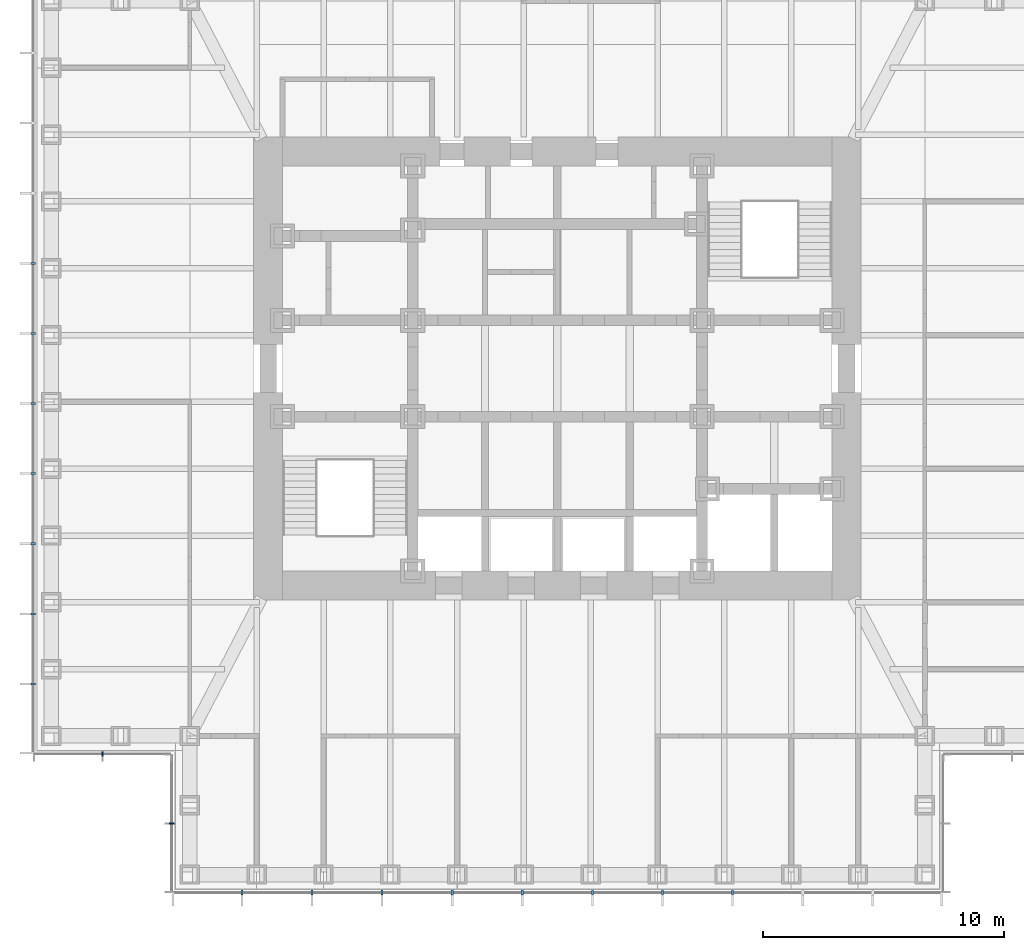
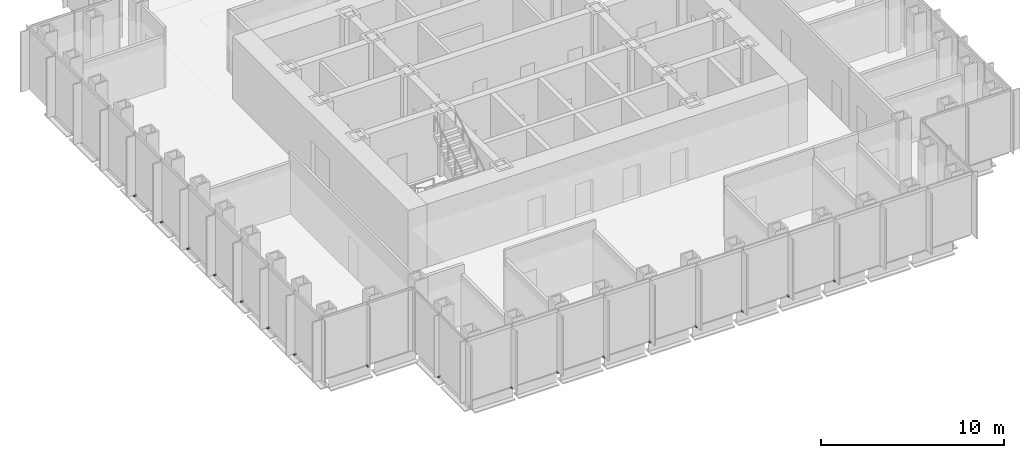
# One storey, part 11 of 16: 17 discrete accessories.
"""IFC4 building model written with IfcOpenShell, lengths in metres."""

from ifc_helpers import new_model, si_unit, direction, frame, origin, origin_2d, place, context, subcontext, project, spatial, rectangle, extrude, element, save


model = new_model("IFC4")

# Units and contexts
model_context = context("Model", 3, precision=1e-05, world=origin(), true_north=direction((0.0, 1.0)))
body_context = subcontext(model_context, "Body", "Model", "MODEL_VIEW")
ifc_project = project(units=[si_unit("LENGTHUNIT", "METRE"), si_unit("AREAUNIT", "SQUARE_METRE"), si_unit("VOLUMEUNIT", "CUBIC_METRE"), si_unit("PLANEANGLEUNIT", "RADIAN"), si_unit("MASSUNIT", "GRAM", prefix="KILO")], contexts=[model_context])

# Site, building, storey
site_placement = place(None, origin())
site = spatial("IfcSite", under=ifc_project, at=site_placement, CompositionType="ELEMENT")
building_placement = place(site_placement, origin())
building = spatial("IfcBuilding", under=site, at=building_placement, Name="Daluyong Arena Tower", CompositionType="ELEMENT")
storey_placement = place(building_placement, frame((0.0, 0.0, 271.300048828125)))
storey = spatial("IfcBuildingStorey", under=building, at=storey_placement, Name="L61", CompositionType="ELEMENT", Elevation=271.300048828125)

# Discrete accessories
for number, where, z_axis, x_axis, name in (
    (1, (42.9091796875, 58.25, -0.10009765625), (0.0, 0.0, 1.0), (1.0, 0.0, 0.0), "curtain wall L61 S anchor bracket 2"),
    (2, (45.818115234375, 58.25, -0.10009765625), (0.0, 0.0, 1.0), (1.0, 0.0, 0.0), "curtain wall L61 S anchor bracket 3"),
    (3, (48.727294921875, 58.25, -0.10009765625), (0.0, 0.0, 1.0), (1.0, 0.0, 0.0), "curtain wall L61 S anchor bracket 4"),
    (4, (51.636474609375, 58.25, -0.10009765625), (0.0, 0.0, 1.0), (1.0, 0.0, 0.0), "curtain wall L61 S anchor bracket 5"),
    (5, (54.54541015625, 58.25, -0.10009765625), (0.0, 0.0, 1.0), (1.0, 0.0, 0.0), "curtain wall L61 S anchor bracket 6"),
    (6, (57.45458984375, 58.25, -0.10009765625), (0.0, 0.0, 1.0), (1.0, 0.0, 0.0), "curtain wall L61 S anchor bracket 7"),
    (7, (60.363525390625, 58.25, -0.10009765625), (0.0, 0.0, 1.0), (1.0, 0.0, 0.0), "curtain wall L61 S anchor bracket 8"),
    (8, (63.272705078125, 58.25, -0.10009765625), (0.0, 0.0, 1.0), (1.0, 0.0, 0.0), "curtain wall L61 S anchor bracket 9"),
    (9, (34.25, 84.363525390625, -0.10009765625), (0.0, 0.0, 1.0), (0.0, -1.0, 0.0), "curtain wall L61 W anchor bracket 5"),
    (10, (34.25, 81.45458984375, -0.10009765625), (0.0, 0.0, 1.0), (0.0, -1.0, 0.0), "curtain wall L61 W anchor bracket 6"),
    (11, (34.25, 78.54541015625, -0.10009765625), (0.0, 0.0, 1.0), (0.0, -1.0, 0.0), "curtain wall L61 W anchor bracket 7"),
    (12, (34.25, 75.636474609375, -0.10009765625), (0.0, 0.0, 1.0), (0.0, -1.0, 0.0), "curtain wall L61 W anchor bracket 8"),
    (13, (34.25, 72.727294921875, -0.10009765625), (0.0, 0.0, 1.0), (0.0, -1.0, 0.0), "curtain wall L61 W anchor bracket 9"),
    (14, (34.25, 69.818115234375, -0.10009765625), (0.0, 0.0, 1.0), (0.0, -1.0, 0.0), "curtain wall L61 W anchor bracket 10"),
    (15, (34.25, 66.9091796875, -0.10009765625), (0.0, 0.0, 1.0), (0.0, -1.0, 0.0), "curtain wall L61 W anchor bracket 11"),
):
    element("IfcDiscreteAccessory", number, at=place(storey_placement, frame(where, z_axis=z_axis, x_axis=x_axis)), inside=storey, Name=name, PredefinedType="BRACKET", context=body_context, shape_type="SweptSolid", body=[
        extrude(rectangle(XDim=0.090087890625, YDim=0.199951171875, at=origin_2d()), origin(), (0.0, 0.0, 1.0), 0.10009765625),
    ])
for number, where, z_axis, x_axis, name in (
    (16, (37.125, 64.0, -0.10009765625), (0.0, 0.0, 1.0), (1.0, 0.0, 0.0), "curtain wall L61 SW-S anchor bracket 2"),
    (17, (40.0, 61.125, -0.10009765625), (0.0, 0.0, 1.0), (0.0, -1.0, 0.0), "curtain wall L61 SW-W anchor bracket 2"),
):
    element("IfcDiscreteAccessory", number, at=place(storey_placement, frame(where, z_axis=z_axis, x_axis=x_axis)), inside=storey, Name=name, PredefinedType="BRACKET", context=body_context, shape_type="SweptSolid", body=[
        extrude(rectangle(XDim=0.06005859375, YDim=0.199951171875, at=origin_2d()), origin(), (0.0, 0.0, 1.0), 0.10009765625),
    ])

save(model, "model.ifc")
